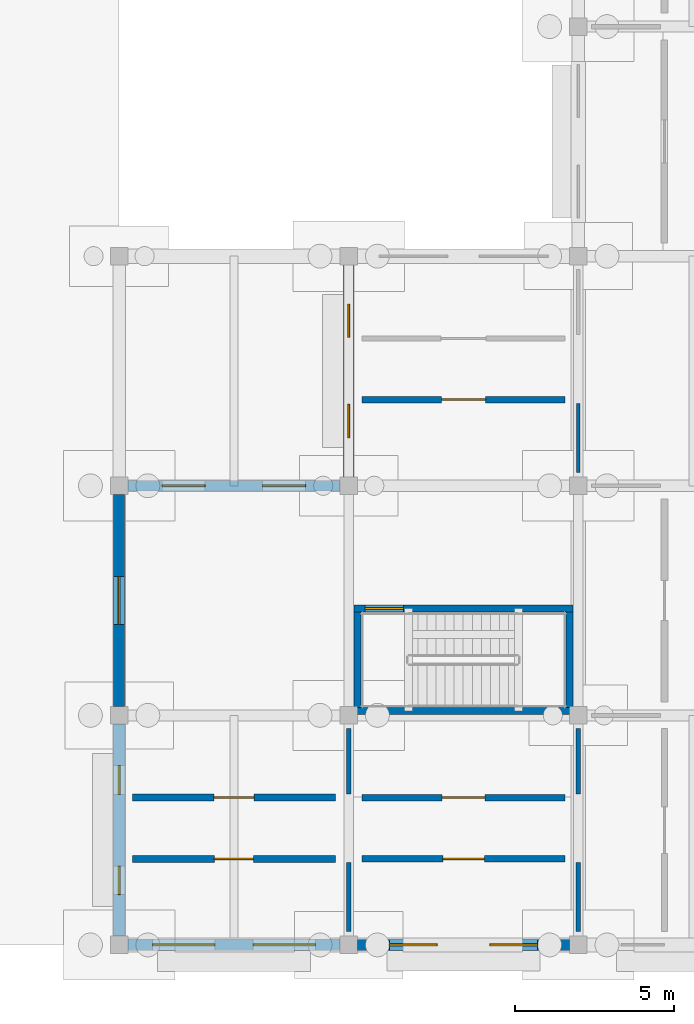
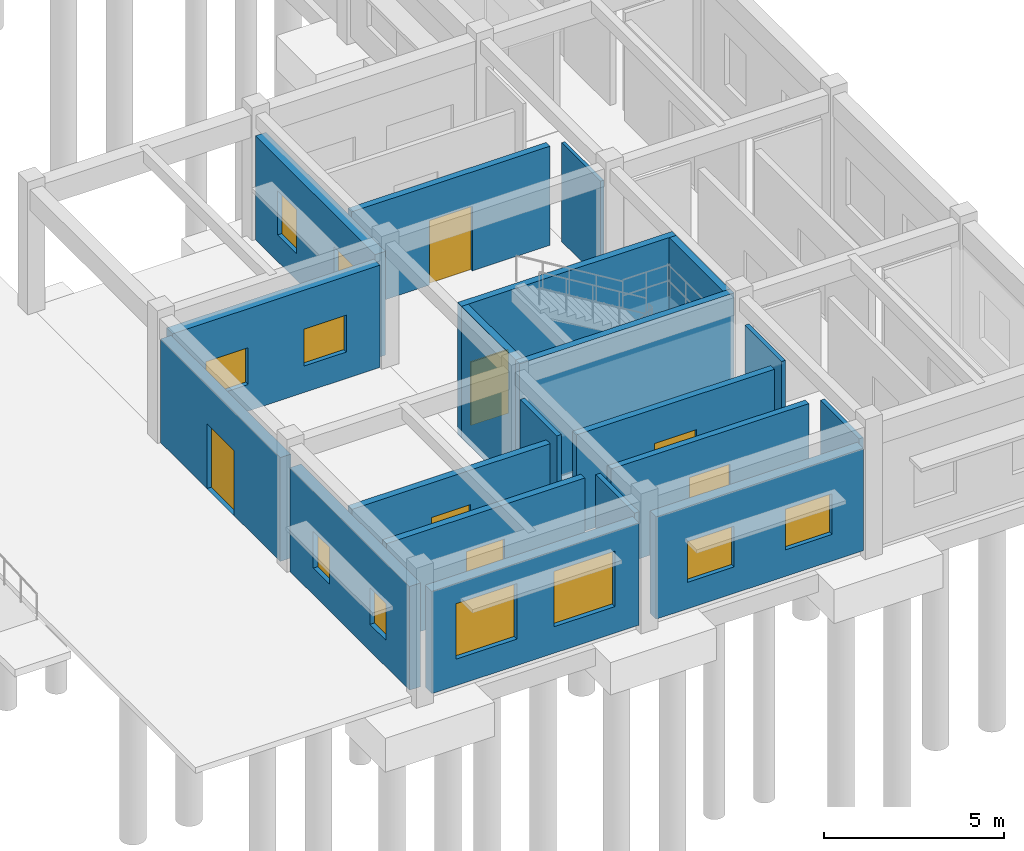
# One storey, part 76 of 111: 20 walls, 10 windows, 7 doors, 17 openings.
"""IFC4 building model written with IfcOpenShell, lengths in metres."""

from ifc_helpers import new_model, si_unit, direction, frame, frame_2d, origin, place, context, subcontext, project, spatial, rectangle, extrude, material, layer, layer_set, type_object, element, fill, save


model = new_model("IFC4")

# Units and contexts
model_context = context("Model", 3, precision=1e-05, world=origin(), true_north=direction((0.0, 1.0)))
body_context = subcontext(model_context, "Body", "Model", "MODEL_VIEW")
ifc_project = project(units=[si_unit("LENGTHUNIT", "METRE"), si_unit("AREAUNIT", "SQUARE_METRE"), si_unit("VOLUMEUNIT", "CUBIC_METRE"), si_unit("PLANEANGLEUNIT", "RADIAN"), si_unit("MASSUNIT", "GRAM", prefix="KILO")], contexts=[model_context])

# Site, building, storey
site_placement = place(None, origin())
site = spatial("IfcSite", under=ifc_project, at=site_placement, CompositionType="ELEMENT")
building_placement = place(site_placement, origin())
building = spatial("IfcBuilding", under=site, at=building_placement, Name="Aldebral Square Health Centre", CompositionType="ELEMENT")
storey_placement = place(building_placement, origin())
storey = spatial("IfcBuildingStorey", under=building, at=storey_placement, Name="L00", CompositionType="ELEMENT", Elevation=0.0)

# Wall, openings, windows
ifc_material_1 = material(Name="Cream cantera stone and concrete wall C35/45", Category="masonry")
ifc_layer_1 = layer(ifc_material_1, 0.340087890625, Name="Cream cantera stone and concrete wall C35/45", Category="masonry")
ifc_layer_set_1 = layer_set([ifc_layer_1], Name="Cream cantera stone and concrete wall C35/45")
wall_type_1 = type_object("IfcWallType", Name="EW-CAN-340", PredefinedType="SOLIDWALL", material=ifc_layer_set_1)
wall_1_placement = place(storey_placement, frame((150.925048828125, 14.39990234375, 0.0), z_axis=(0.0, 0.0, 1.0), x_axis=(-1.0, 0.0, 0.0)))
wall_1 = element("IfcWall", 1, at=wall_1_placement, inside=storey, type_object=wall_type_1, Name="L00 V3 exterior wall L00-V3-20-01-N", PredefinedType="SOLIDWALL", context=body_context, shape_type="SweptSolid", body=[
    extrude(rectangle(XDim=6.650146484375, YDim=0.340087890625, at=frame_2d((3.3251953125, 0.0))), origin(), (0.0, 0.0, 1.0), 3.469970703125),
])
opening_1_placement = place(wall_1_placement, frame((1.074951171875, 0.0, 0.89990234375)))
opening_1 = element("IfcOpeningElement", 2, at=opening_1_placement, cuts=wall_1, Name="Opening W04", PredefinedType="OPENING", context=body_context, shape_type="SweptSolid", body=[
    extrude(rectangle(XDim=1.35009765625, YDim=1.25, at=frame_2d((0.675048828125, 0.625))), frame((0.0, 0.18017578125, 0.0), z_axis=(0.0, -1.0, 0.0), x_axis=(1.0, 0.0, 0.0)), (0.0, 0.0, 1.0), 0.360107421875),
])
opening_2_placement = place(wall_1_placement, frame((4.22509765625, 0.0, 0.89990234375)))
opening_2 = element("IfcOpeningElement", 3, at=opening_2_placement, cuts=wall_1, Name="Opening W04", PredefinedType="OPENING", context=body_context, shape_type="SweptSolid", body=[
    extrude(rectangle(XDim=1.35009765625, YDim=1.25, at=frame_2d((0.675048828125, 0.625))), frame((0.0, 0.18017578125, 0.0), z_axis=(0.0, -1.0, 0.0), x_axis=(1.0, 0.0, 0.0)), (0.0, 0.0, 1.0), 0.360107421875),
])
ifc_material_2 = material(Name="Thermally broken aluminium and low-E glass", Category="aluminium")
window_type_1 = type_object("IfcWindowType", Name="WIN-W04", PartitioningType="SINGLE_PANEL", PredefinedType="WINDOW", material=ifc_material_2)
window_1_placement = place(opening_1_placement, origin())
window_1 = element("IfcWindow", 4, at=window_1_placement, inside=storey, type_object=window_type_1, Name="L00 clinical window L00-V3-20-01-N.1", OverallHeight=1.25, OverallWidth=1.35009765625, PartitioningType="SINGLE_PANEL", PredefinedType="WINDOW", context=body_context, shape_type="SweptSolid", body=[
    extrude(rectangle(XDim=1.35009765625, YDim=1.25, at=frame_2d((0.675048828125, 0.625))), frame((0.0, 0.030029296875, 0.0), z_axis=(0.0, -1.0, 0.0), x_axis=(1.0, 0.0, 0.0)), (0.0, 0.0, 1.0), 0.06005859375),
])
fill(opening_1, window_1)
window_2_placement = place(opening_2_placement, origin())
window_2 = element("IfcWindow", 5, at=window_2_placement, inside=storey, type_object=window_type_1, Name="L00 clinical window L00-V3-20-01-N.2", OverallHeight=1.25, OverallWidth=1.35009765625, PartitioningType="SINGLE_PANEL", PredefinedType="WINDOW", context=body_context, shape_type="SweptSolid", body=[
    extrude(rectangle(XDim=1.35009765625, YDim=1.25, at=frame_2d((0.675048828125, 0.625))), frame((0.0, 0.030029296875, 0.0), z_axis=(0.0, -1.0, 0.0), x_axis=(1.0, 0.0, 0.0)), (0.0, 0.0, 1.0), 0.06005859375),
])
fill(opening_2, window_2)

# Wall, opening, door
wall_2_placement = place(storey_placement, frame((144.0, 7.47509765625, 0.0), z_axis=(0.0, 0.0, 1.0), x_axis=(0.0, 1.0, 0.0)))
wall_2 = element("IfcWall", 6, at=wall_2_placement, inside=storey, type_object=wall_type_1, Name="L00 V3 exterior wall L00-V3-20-01-W", PredefinedType="SOLIDWALL", context=body_context, shape_type="SweptSolid", body=[
    extrude(rectangle(XDim=6.64990234375, YDim=0.340087890625, at=frame_2d((3.324951171875, 0.0))), origin(), (0.0, 0.0, 1.0), 3.52001953125),
])
opening_3_placement = place(wall_2_placement, frame((2.574951171875, 0.0, 0.0)))
opening_3 = element("IfcOpeningElement", 7, at=opening_3_placement, cuts=wall_2, Name="Opening D-EX08", PredefinedType="OPENING", context=body_context, shape_type="SweptSolid", body=[
    extrude(rectangle(XDim=1.5, YDim=2.199951171875, at=frame_2d((0.75, 1.10009765625))), frame((0.0, 0.18017578125, 0.0), z_axis=(0.0, -1.0, 0.0), x_axis=(1.0, 0.0, 0.0)), (0.0, 0.0, 1.0), 0.360107421875),
])
ifc_material_3 = material(Name="Anodised aluminium and laminated safety glass", Category="aluminium")
door_type_1 = type_object("IfcDoorType", Name="DR-EX-150", OperationType="DOUBLE_DOOR_SINGLE_SWING", PredefinedType="DOOR", material=ifc_material_3)
door_1_placement = place(opening_3_placement, origin())
door_1 = element("IfcDoor", 8, at=door_1_placement, inside=storey, type_object=door_type_1, Name="L00 exterior door D-EX08", OperationType="DOUBLE_DOOR_SINGLE_SWING", OverallHeight=2.199951171875, OverallWidth=1.5, PredefinedType="DOOR", context=body_context, shape_type="SweptSolid", body=[
    extrude(rectangle(XDim=1.5, YDim=2.199951171875, at=frame_2d((0.75, 1.10009765625))), frame((0.0, 0.02490234375, 0.0), z_axis=(0.0, -1.0, 0.0), x_axis=(1.0, 0.0, 0.0)), (0.0, 0.0, 1.0), 0.050048828125),
])
fill(opening_3, door_1)

# Wall, openings, windows
wall_3_placement = place(storey_placement, frame((151.47509765625, 0.0, 0.0), z_axis=(0.0, 0.0, 1.0), x_axis=(1.0, 0.0, 0.0)))
wall_3 = element("IfcWall", 9, at=wall_3_placement, inside=storey, type_object=wall_type_1, Name="L00 V3 exterior wall L00-V3-21-00-S", PredefinedType="SOLIDWALL", context=body_context, shape_type="SweptSolid", body=[
    extrude(rectangle(XDim=6.64990234375, YDim=0.340087890625, at=frame_2d((3.324951171875, 0.0))), origin(), (0.0, 0.0, 1.0), 3.469970703125),
])
opening_4_placement = place(wall_3_placement, frame((1.0, 0.0, 0.89990234375)))
opening_4 = element("IfcOpeningElement", 10, at=opening_4_placement, cuts=wall_3, Name="Opening W14", PredefinedType="OPENING", context=body_context, shape_type="SweptSolid", body=[
    extrude(rectangle(XDim=1.5, YDim=1.3798828125, at=frame_2d((0.75, 0.68994140625))), frame((0.0, 0.18017578125, 0.0), z_axis=(0.0, -1.0, 0.0), x_axis=(1.0, 0.0, 0.0)), (0.0, 0.0, 1.0), 0.360107421875),
])
opening_5_placement = place(wall_3_placement, frame((4.14990234375, 0.0, 0.89990234375)))
opening_5 = element("IfcOpeningElement", 11, at=opening_5_placement, cuts=wall_3, Name="Opening W14", PredefinedType="OPENING", context=body_context, shape_type="SweptSolid", body=[
    extrude(rectangle(XDim=1.5, YDim=1.3798828125, at=frame_2d((0.75, 0.68994140625))), frame((0.0, 0.18017578125, 0.0), z_axis=(0.0, -1.0, 0.0), x_axis=(1.0, 0.0, 0.0)), (0.0, 0.0, 1.0), 0.360107421875),
])
window_type_2 = type_object("IfcWindowType", Name="WIN-W14", PartitioningType="SINGLE_PANEL", PredefinedType="WINDOW", material=ifc_material_2)
window_3_placement = place(opening_4_placement, origin())
window_3 = element("IfcWindow", 12, at=window_3_placement, inside=storey, type_object=window_type_2, Name="L00 clinical window L00-V3-21-00-S.1", OverallHeight=1.3798828125, OverallWidth=1.5, PartitioningType="SINGLE_PANEL", PredefinedType="WINDOW", context=body_context, shape_type="SweptSolid", body=[
    extrude(rectangle(XDim=1.5, YDim=1.3798828125, at=frame_2d((0.75, 0.68994140625))), frame((0.0, 0.030029296875, 0.0), z_axis=(0.0, -1.0, 0.0), x_axis=(1.0, 0.0, 0.0)), (0.0, 0.0, 1.0), 0.06005859375),
])
fill(opening_4, window_3)
window_4_placement = place(opening_5_placement, origin())
window_4 = element("IfcWindow", 13, at=window_4_placement, inside=storey, type_object=window_type_2, Name="L00 clinical window L00-V3-21-00-S.2", OverallHeight=1.3798828125, OverallWidth=1.5, PartitioningType="SINGLE_PANEL", PredefinedType="WINDOW", context=body_context, shape_type="SweptSolid", body=[
    extrude(rectangle(XDim=1.5, YDim=1.3798828125, at=frame_2d((0.75, 0.68994140625))), frame((0.0, 0.030029296875, 0.0), z_axis=(0.0, -1.0, 0.0), x_axis=(1.0, 0.0, 0.0)), (0.0, 0.0, 1.0), 0.06005859375),
])
fill(opening_5, window_4)

wall_4_placement = place(storey_placement, frame((151.199951171875, 21.324951171875, 0.0), z_axis=(0.0, 0.0, 1.0), x_axis=(0.0, -1.0, 0.0)))
wall_4 = element("IfcWall", 14, at=wall_4_placement, inside=storey, type_object=wall_type_1, Name="L00 V3 exterior wall L00-V3-21-02-W", PredefinedType="SOLIDWALL", context=body_context, shape_type="SweptSolid", body=[
    extrude(rectangle(XDim=6.64990234375, YDim=0.340087890625, at=frame_2d((3.324951171875, 0.0))), origin(), (0.0, 0.0, 1.0), 3.52001953125),
])
opening_6_placement = place(wall_4_placement, frame((1.22509765625, 0.0, 0.89990234375)))
opening_6 = element("IfcOpeningElement", 15, at=opening_6_placement, cuts=wall_4, Name="Opening W20", PredefinedType="OPENING", context=body_context, shape_type="SweptSolid", body=[
    extrude(rectangle(XDim=1.050048828125, YDim=1.5, at=frame_2d((0.52490234375, 0.75))), frame((0.0, 0.18017578125, 0.0), z_axis=(0.0, -1.0, 0.0), x_axis=(1.0, 0.0, 0.0)), (0.0, 0.0, 1.0), 0.360107421875),
])
opening_7_placement = place(wall_4_placement, frame((4.375, 0.0, 0.89990234375)))
opening_7 = element("IfcOpeningElement", 16, at=opening_7_placement, cuts=wall_4, Name="Opening W20", PredefinedType="OPENING", context=body_context, shape_type="SweptSolid", body=[
    extrude(rectangle(XDim=1.050048828125, YDim=1.5, at=frame_2d((0.52490234375, 0.75))), frame((0.0, 0.18017578125, 0.0), z_axis=(0.0, -1.0, 0.0), x_axis=(1.0, 0.0, 0.0)), (0.0, 0.0, 1.0), 0.360107421875),
])
window_type_3 = type_object("IfcWindowType", Name="WIN-W20", PartitioningType="SINGLE_PANEL", PredefinedType="WINDOW", material=ifc_material_2)
window_5_placement = place(opening_6_placement, origin())
window_5 = element("IfcWindow", 17, at=window_5_placement, inside=storey, type_object=window_type_3, Name="L00 clinical window L00-V3-21-02-W.1", OverallHeight=1.5, OverallWidth=1.050048828125, PartitioningType="SINGLE_PANEL", PredefinedType="WINDOW", context=body_context, shape_type="SweptSolid", body=[
    extrude(rectangle(XDim=1.050048828125, YDim=1.5, at=frame_2d((0.52490234375, 0.75))), frame((0.0, 0.030029296875, 0.0), z_axis=(0.0, -1.0, 0.0), x_axis=(1.0, 0.0, 0.0)), (0.0, 0.0, 1.0), 0.06005859375),
])
fill(opening_6, window_5)
window_6_placement = place(opening_7_placement, origin())
window_6 = element("IfcWindow", 18, at=window_6_placement, inside=storey, type_object=window_type_3, Name="L00 clinical window L00-V3-21-02-W.2", OverallHeight=1.5, OverallWidth=1.050048828125, PartitioningType="SINGLE_PANEL", PredefinedType="WINDOW", context=body_context, shape_type="SweptSolid", body=[
    extrude(rectangle(XDim=1.050048828125, YDim=1.5, at=frame_2d((0.52490234375, 0.75))), frame((0.0, 0.030029296875, 0.0), z_axis=(0.0, -1.0, 0.0), x_axis=(1.0, 0.0, 0.0)), (0.0, 0.0, 1.0), 0.06005859375),
])
fill(opening_7, window_6)

ifc_layer_2 = layer(ifc_material_1, 0.360107421875, Name="Cream cantera stone and concrete wall C35/45", Category="masonry")
ifc_layer_set_2 = layer_set([ifc_layer_2], Name="Cream cantera stone and concrete wall C35/45")
wall_type_2 = type_object("IfcWallType", Name="EW-CAN-360", PredefinedType="SOLIDWALL", material=ifc_layer_set_2)
wall_5_placement = place(storey_placement, frame((144.27490234375, 0.0, 0.0), z_axis=(0.0, 0.0, 1.0), x_axis=(1.0, 0.0, 0.0)))
wall_5 = element("IfcWall", 19, at=wall_5_placement, inside=storey, type_object=wall_type_2, Name="L00 V3 exterior wall L00-V3-20-00-S", PredefinedType="SOLIDWALL", context=body_context, shape_type="SweptSolid", body=[
    extrude(rectangle(XDim=6.650146484375, YDim=0.360107421875, at=frame_2d((3.3251953125, 0.0))), origin(), (0.0, 0.0, 1.0), 3.469970703125),
])
opening_8_placement = place(wall_5_placement, frame((0.77490234375, 0.0, 0.89990234375)))
opening_8 = element("IfcOpeningElement", 20, at=opening_8_placement, cuts=wall_5, Name="Opening W53", PredefinedType="OPENING", context=body_context, shape_type="SweptSolid", body=[
    extrude(rectangle(XDim=1.949951171875, YDim=1.8798828125, at=frame_2d((0.97509765625, 0.93994140625))), frame((0.0, 0.18994140625, 0.0), z_axis=(0.0, -1.0, 0.0), x_axis=(1.0, 0.0, 0.0)), (0.0, 0.0, 1.0), 0.380126953125),
])
opening_9_placement = place(wall_5_placement, frame((3.925048828125, 0.0, 0.89990234375)))
opening_9 = element("IfcOpeningElement", 21, at=opening_9_placement, cuts=wall_5, Name="Opening W53", PredefinedType="OPENING", context=body_context, shape_type="SweptSolid", body=[
    extrude(rectangle(XDim=1.949951171875, YDim=1.8798828125, at=frame_2d((0.97509765625, 0.93994140625))), frame((0.0, 0.18994140625, 0.0), z_axis=(0.0, -1.0, 0.0), x_axis=(1.0, 0.0, 0.0)), (0.0, 0.0, 1.0), 0.380126953125),
])
window_type_4 = type_object("IfcWindowType", Name="WIN-W53", PartitioningType="SINGLE_PANEL", PredefinedType="WINDOW", material=ifc_material_2)
window_7_placement = place(opening_8_placement, origin())
window_7 = element("IfcWindow", 22, at=window_7_placement, inside=storey, type_object=window_type_4, Name="L00 clinical window L00-V3-20-00-S.1", OverallHeight=1.8798828125, OverallWidth=1.949951171875, PartitioningType="SINGLE_PANEL", PredefinedType="WINDOW", context=body_context, shape_type="SweptSolid", body=[
    extrude(rectangle(XDim=1.949951171875, YDim=1.8798828125, at=frame_2d((0.97509765625, 0.93994140625))), frame((0.0, 0.030029296875, 0.0), z_axis=(0.0, -1.0, 0.0), x_axis=(1.0, 0.0, 0.0)), (0.0, 0.0, 1.0), 0.06005859375),
])
fill(opening_8, window_7)
window_8_placement = place(opening_9_placement, origin())
window_8 = element("IfcWindow", 23, at=window_8_placement, inside=storey, type_object=window_type_4, Name="L00 clinical window L00-V3-20-00-S.2", OverallHeight=1.8798828125, OverallWidth=1.949951171875, PartitioningType="SINGLE_PANEL", PredefinedType="WINDOW", context=body_context, shape_type="SweptSolid", body=[
    extrude(rectangle(XDim=1.949951171875, YDim=1.8798828125, at=frame_2d((0.97509765625, 0.93994140625))), frame((0.0, 0.030029296875, 0.0), z_axis=(0.0, -1.0, 0.0), x_axis=(1.0, 0.0, 0.0)), (0.0, 0.0, 1.0), 0.06005859375),
])
fill(opening_9, window_8)

wall_6_placement = place(storey_placement, frame((144.0, 6.925048828125, 0.0), z_axis=(0.0, 0.0, 1.0), x_axis=(0.0, -1.0, 0.0)))
wall_6 = element("IfcWall", 24, at=wall_6_placement, inside=storey, type_object=wall_type_2, Name="L00 V3 exterior wall L00-V3-20-00-W", PredefinedType="SOLIDWALL", context=body_context, shape_type="SweptSolid", body=[
    extrude(rectangle(XDim=6.650146484375, YDim=0.360107421875, at=frame_2d((3.3251953125, 0.0))), origin(), (0.0, 0.0, 1.0), 3.52001953125),
])
opening_10_placement = place(wall_6_placement, frame((1.300048828125, 0.0, 0.89990234375)))
opening_10 = element("IfcOpeningElement", 25, at=opening_10_placement, cuts=wall_6, Name="Opening W01", PredefinedType="OPENING", context=body_context, shape_type="SweptSolid", body=[
    extrude(rectangle(XDim=0.89990234375, YDim=1.25, at=frame_2d((0.449951171875, 0.625))), frame((0.0, 0.18994140625, 0.0), z_axis=(0.0, -1.0, 0.0), x_axis=(1.0, 0.0, 0.0)), (0.0, 0.0, 1.0), 0.380126953125),
])
opening_11_placement = place(wall_6_placement, frame((4.449951171875, 0.0, 0.89990234375)))
opening_11 = element("IfcOpeningElement", 26, at=opening_11_placement, cuts=wall_6, Name="Opening W01", PredefinedType="OPENING", context=body_context, shape_type="SweptSolid", body=[
    extrude(rectangle(XDim=0.89990234375, YDim=1.25, at=frame_2d((0.449951171875, 0.625))), frame((0.0, 0.18994140625, 0.0), z_axis=(0.0, -1.0, 0.0), x_axis=(1.0, 0.0, 0.0)), (0.0, 0.0, 1.0), 0.380126953125),
])
window_type_5 = type_object("IfcWindowType", Name="WIN-W01", PartitioningType="SINGLE_PANEL", PredefinedType="WINDOW", material=ifc_material_2)
window_9_placement = place(opening_10_placement, origin())
window_9 = element("IfcWindow", 27, at=window_9_placement, inside=storey, type_object=window_type_5, Name="L00 clinical window L00-V3-20-00-W.1", OverallHeight=1.25, OverallWidth=0.89990234375, PartitioningType="SINGLE_PANEL", PredefinedType="WINDOW", context=body_context, shape_type="SweptSolid", body=[
    extrude(rectangle(XDim=0.89990234375, YDim=1.25, at=frame_2d((0.449951171875, 0.625))), frame((0.0, 0.030029296875, 0.0), z_axis=(0.0, -1.0, 0.0), x_axis=(1.0, 0.0, 0.0)), (0.0, 0.0, 1.0), 0.06005859375),
])
fill(opening_10, window_9)
window_10_placement = place(opening_11_placement, origin())
window_10 = element("IfcWindow", 28, at=window_10_placement, inside=storey, type_object=window_type_5, Name="L00 clinical window L00-V3-20-00-W.2", OverallHeight=1.25, OverallWidth=0.89990234375, PartitioningType="SINGLE_PANEL", PredefinedType="WINDOW", context=body_context, shape_type="SweptSolid", body=[
    extrude(rectangle(XDim=0.89990234375, YDim=1.25, at=frame_2d((0.449951171875, 0.625))), frame((0.0, 0.030029296875, 0.0), z_axis=(0.0, -1.0, 0.0), x_axis=(1.0, 0.0, 0.0)), (0.0, 0.0, 1.0), 0.06005859375),
])
fill(opening_11, window_10)

# Wall, opening, door
ifc_material_4 = material(Name="Concrete C35/45 compartment wall", Category="concrete")
ifc_layer_3 = layer(ifc_material_4, 0.199951171875, Name="Concrete C35/45 compartment wall", Category="concrete")
ifc_layer_set_3 = layer_set([ifc_layer_3], Name="Concrete C35/45 compartment wall")
wall_type_3 = type_object("IfcWallType", Name="IW-CMP-200", PredefinedType="SOLIDWALL", material=ifc_layer_set_3)
wall_7_placement = place(storey_placement, frame((151.6201171875, 2.699951171875, 0.0), z_axis=(0.0, 0.0, 1.0), x_axis=(1.0, 0.0, 0.0)))
wall_7 = element("IfcWall", 29, at=wall_7_placement, inside=storey, type_object=wall_type_3, Name="L00 Gait Assessment Studio 22.1S corridor wall", PredefinedType="SOLIDWALL", context=body_context, shape_type="SweptSolid", body=[
    extrude(rectangle(XDim=6.35986328125, YDim=0.199951171875, at=frame_2d((3.179931640625, 0.0))), origin(), (0.0, 0.0, 1.0), 3.360107421875),
])
opening_12_placement = place(wall_7_placement, frame((2.530029296875, 0.0, 0.0)))
opening_12 = element("IfcOpeningElement", 30, at=opening_12_placement, cuts=wall_7, Name="Opening D-FD60-63", PredefinedType="OPENING", context=body_context, shape_type="SweptSolid", body=[
    extrude(rectangle(XDim=1.300048828125, YDim=2.18994140625, at=frame_2d((0.64990234375, 1.094970703125))), frame((0.0, 0.10986328125, 0.0), z_axis=(0.0, -1.0, 0.0), x_axis=(1.0, 0.0, 0.0)), (0.0, 0.0, 1.0), 0.219970703125),
])
ifc_material_5 = material(Name="Clinical suite fire door")
door_type_2 = type_object("IfcDoorType", Name="ID-EXD-58", OperationType="NOTDEFINED", PredefinedType="DOOR", material=ifc_material_5)
door_2_placement = place(opening_12_placement, origin())
door_2 = element("IfcDoor", 31, at=door_2_placement, inside=storey, type_object=door_type_2, Name="L00 Gait Assessment Studio 22.1S door", OperationType="SINGLE_SWING_RIGHT", OverallHeight=2.18994140625, OverallWidth=1.300048828125, PredefinedType="DOOR", context=body_context, shape_type="SweptSolid", body=[
    extrude(rectangle(XDim=1.300048828125, YDim=2.18994140625, at=frame_2d((0.64990234375, 1.094970703125))), frame((0.0, 0.02490234375, 0.0), z_axis=(0.0, -1.0, 0.0), x_axis=(1.0, 0.0, 0.0)), (0.0, 0.0, 1.0), 0.050048828125),
])
fill(opening_12, door_2)

ifc_layer_4 = layer(ifc_material_4, 0.219970703125, Name="Concrete C35/45 compartment wall", Category="concrete")
ifc_layer_set_4 = layer_set([ifc_layer_4], Name="Concrete C35/45 compartment wall")
wall_type_4 = type_object("IfcWallType", Name="IW-CMP-220", PredefinedType="SOLIDWALL", material=ifc_layer_set_4)
wall_8_placement = place(storey_placement, frame((144.419921875, 2.699951171875, 0.0), z_axis=(0.0, 0.0, 1.0), x_axis=(1.0, 0.0, 0.0)))
wall_8 = element("IfcWall", 32, at=wall_8_placement, inside=storey, type_object=wall_type_4, Name="L00 Rehabilitation Gym 21.1S corridor wall", PredefinedType="SOLIDWALL", context=body_context, shape_type="SweptSolid", body=[
    extrude(rectangle(XDim=6.360107421875, YDim=0.219970703125, at=frame_2d((3.18017578125, 0.0))), origin(), (0.0, 0.0, 1.0), 3.360107421875),
])
opening_13_placement = place(wall_8_placement, frame((2.570068359375, 0.0, 0.0)))
opening_13 = element("IfcOpeningElement", 33, at=opening_13_placement, cuts=wall_8, Name="Opening D-FD60-61", PredefinedType="OPENING", context=body_context, shape_type="SweptSolid", body=[
    extrude(rectangle(XDim=1.219970703125, YDim=2.18994140625, at=frame_2d((0.60986328125, 1.094970703125))), frame((0.0, 0.1201171875, 0.0), z_axis=(0.0, -1.0, 0.0), x_axis=(1.0, 0.0, 0.0)), (0.0, 0.0, 1.0), 0.239990234375),
])
door_type_3 = type_object("IfcDoorType", Name="ID-EXD-56", OperationType="NOTDEFINED", PredefinedType="DOOR", material=ifc_material_5)
door_3_placement = place(opening_13_placement, origin())
door_3 = element("IfcDoor", 34, at=door_3_placement, inside=storey, type_object=door_type_3, Name="L00 Rehabilitation Gym 21.1S door", OperationType="SINGLE_SWING_RIGHT", OverallHeight=2.18994140625, OverallWidth=1.219970703125, PredefinedType="DOOR", context=body_context, shape_type="SweptSolid", body=[
    extrude(rectangle(XDim=1.219970703125, YDim=2.18994140625, at=frame_2d((0.60986328125, 1.094970703125))), frame((0.0, 0.02490234375, 0.0), z_axis=(0.0, -1.0, 0.0), x_axis=(1.0, 0.0, 0.0)), (0.0, 0.0, 1.0), 0.050048828125),
])
fill(opening_13, door_3)

wall_9_placement = place(storey_placement, frame((144.419921875, 4.6201171875, 0.0), z_axis=(0.0, 0.0, 1.0), x_axis=(1.0, 0.0, 0.0)))
wall_9 = element("IfcWall", 35, at=wall_9_placement, inside=storey, type_object=wall_type_4, Name="L00 Physiotherapy Cubicles 21.1N corridor wall", PredefinedType="SOLIDWALL", context=body_context, shape_type="SweptSolid", body=[
    extrude(rectangle(XDim=6.360107421875, YDim=0.219970703125, at=frame_2d((3.18017578125, 0.0))), origin(), (0.0, 0.0, 1.0), 3.360107421875),
])
opening_14_placement = place(wall_9_placement, frame((2.550048828125, 0.0, 0.0)))
opening_14 = element("IfcOpeningElement", 36, at=opening_14_placement, cuts=wall_9, Name="Opening D-FD60-62", PredefinedType="OPENING", context=body_context, shape_type="SweptSolid", body=[
    extrude(rectangle(XDim=1.260009765625, YDim=2.18994140625, at=frame_2d((0.6298828125, 1.094970703125))), frame((0.0, 0.1201171875, 0.0), z_axis=(0.0, -1.0, 0.0), x_axis=(1.0, 0.0, 0.0)), (0.0, 0.0, 1.0), 0.239990234375),
])
door_type_4 = type_object("IfcDoorType", Name="ID-EXD-57", OperationType="NOTDEFINED", PredefinedType="DOOR", material=ifc_material_5)
door_4_placement = place(opening_14_placement, origin())
door_4 = element("IfcDoor", 37, at=door_4_placement, inside=storey, type_object=door_type_4, Name="L00 Physiotherapy Cubicles 21.1N door", OperationType="SINGLE_SWING_LEFT", OverallHeight=2.18994140625, OverallWidth=1.260009765625, PredefinedType="DOOR", context=body_context, shape_type="SweptSolid", body=[
    extrude(rectangle(XDim=1.260009765625, YDim=2.18994140625, at=frame_2d((0.6298828125, 1.094970703125))), frame((0.0, 0.02490234375, 0.0), z_axis=(0.0, -1.0, 0.0), x_axis=(1.0, 0.0, 0.0)), (0.0, 0.0, 1.0), 0.050048828125),
])
fill(opening_14, door_4)

# Wall
ifc_material_6 = material(Name="Concrete C40/50", Category="concrete")
ifc_layer_5 = layer(ifc_material_6, 0.219970703125, Name="Concrete C40/50", Category="concrete")
ifc_layer_set_5 = layer_set([ifc_layer_5], Name="Concrete C40/50")
wall_type_5 = type_object("IfcWallType", Name="IW-CORE-280", PredefinedType="SHEAR", material=ifc_layer_set_5)
wall_10_placement = place(storey_placement, frame((151.360107421875, 7.330078125, -0.25), z_axis=(0.0, 0.0, 1.0), x_axis=(1.0, 0.0, 0.0)))
element("IfcWall", 38, at=wall_10_placement, inside=storey, type_object=wall_type_5, Name="L00 WS-S8 shaft wall S", PredefinedType="SHEAR", context=body_context, shape_type="SweptSolid", body=[
    extrude(rectangle(XDim=6.8798828125, YDim=0.219970703125, at=frame_2d((3.43994140625, 0.0))), origin(), (0.0, 0.0, 1.0), 4.469970703125),
])

# Wall, opening, door
wall_11_placement = place(storey_placement, frame((151.360107421875, 10.550048828125, -0.25), z_axis=(0.0, 0.0, 1.0), x_axis=(1.0, 0.0, 0.0)))
wall_11 = element("IfcWall", 39, at=wall_11_placement, inside=storey, type_object=wall_type_5, Name="L00 WS-S8 shaft wall N", PredefinedType="SHEAR", context=body_context, shape_type="SweptSolid", body=[
    extrude(rectangle(XDim=6.8798828125, YDim=0.219970703125, at=frame_2d((3.43994140625, 0.0))), origin(), (0.0, 0.0, 1.0), 4.469970703125),
])
opening_15_placement = place(wall_11_placement, frame((0.35009765625, 0.0, 0.25)))
opening_15 = element("IfcOpeningElement", 40, at=opening_15_placement, cuts=wall_11, Name="Opening D-0070", PredefinedType="OPENING", context=body_context, shape_type="SweptSolid", body=[
    extrude(rectangle(XDim=1.199951171875, YDim=2.14990234375, at=frame_2d((0.60009765625, 1.074951171875))), frame((0.0, 0.1201171875, 0.0), z_axis=(0.0, -1.0, 0.0), x_axis=(1.0, 0.0, 0.0)), (0.0, 0.0, 1.0), 0.239990234375),
])
ifc_material_7 = material(Name="Fire-rated steel stair door", Category="steel")
door_type_5 = type_object("IfcDoorType", Name="ID-ST-120", OperationType="NOTDEFINED", PredefinedType="DOOR", material=ifc_material_7)
door_5_placement = place(opening_15_placement, origin())
door_5 = element("IfcDoor", 41, at=door_5_placement, inside=storey, type_object=door_type_5, Name="L00 ST-08 fire door", OperationType="SINGLE_SWING_RIGHT", OverallHeight=2.14990234375, OverallWidth=1.199951171875, PredefinedType="DOOR", context=body_context, shape_type="SweptSolid", body=[
    extrude(rectangle(XDim=1.199951171875, YDim=2.14990234375, at=frame_2d((0.60009765625, 1.074951171875))), frame((0.0, 0.02490234375, 0.0), z_axis=(0.0, -1.0, 0.0), x_axis=(1.0, 0.0, 0.0)), (0.0, 0.0, 1.0), 0.050048828125),
])
fill(opening_15, door_5)

# Walls
for number, where, z_axis, x_axis, name in (
    (42, (151.469970703125, 7.43994140625, -0.25), (0.0, 0.0, 1.0), (0.0, 1.0, 0.0), "L00 WS-S8 shaft wall W"),
    (43, (158.1298828125, 7.43994140625, -0.25), (0.0, 0.0, 1.0), (0.0, 1.0, 0.0), "L00 WS-S8 shaft wall E"),
):
    element("IfcWall", number, at=place(storey_placement, frame(where, z_axis=z_axis, x_axis=x_axis)), inside=storey, type_object=wall_type_5, Name=name, PredefinedType="SHEAR", context=body_context, shape_type="SweptSolid", body=[
        extrude(rectangle(XDim=3.0, YDim=0.219970703125, at=frame_2d((1.5, 0.0))), origin(), (0.0, 0.0, 1.0), 4.469970703125),
    ])

# Wall, opening, door
ifc_material_8 = material(Name="Moisture-resistant sanitary chase wall")
ifc_layer_6 = layer(ifc_material_8, 0.2099609375, Name="Moisture-resistant sanitary chase wall")
ifc_layer_set_6 = layer_set([ifc_layer_6], Name="Moisture-resistant sanitary chase wall")
wall_type_6 = type_object("IfcWallType", Name="IW-PLB-210", PredefinedType="PLUMBINGWALL", material=ifc_layer_set_6)
wall_12_placement = place(storey_placement, frame((151.6201171875, 4.6201171875, 0.0), z_axis=(0.0, 0.0, 1.0), x_axis=(1.0, 0.0, 0.0)))
wall_12 = element("IfcWall", 44, at=wall_12_placement, inside=storey, type_object=wall_type_6, Name="L00 Accessible WC 22.1N corridor wall", PredefinedType="PLUMBINGWALL", context=body_context, shape_type="SweptSolid", body=[
    extrude(rectangle(XDim=6.35986328125, YDim=0.2099609375, at=frame_2d((3.179931640625, 0.0))), origin(), (0.0, 0.0, 1.0), 3.360107421875),
])
opening_16_placement = place(wall_12_placement, frame((2.510009765625, 0.0, 0.0)))
opening_16 = element("IfcOpeningElement", 45, at=opening_16_placement, cuts=wall_12, Name="Opening D-FD60-64", PredefinedType="OPENING", context=body_context, shape_type="SweptSolid", body=[
    extrude(rectangle(XDim=1.340087890625, YDim=2.18994140625, at=frame_2d((0.669921875, 1.094970703125))), frame((0.0, 0.114990234375, 0.0), z_axis=(0.0, -1.0, 0.0), x_axis=(1.0, 0.0, 0.0)), (0.0, 0.0, 1.0), 0.22998046875),
])
door_type_6 = type_object("IfcDoorType", Name="ID-EXD-59", OperationType="NOTDEFINED", PredefinedType="DOOR", material=ifc_material_5)
door_6_placement = place(opening_16_placement, origin())
door_6 = element("IfcDoor", 46, at=door_6_placement, inside=storey, type_object=door_type_6, Name="L00 Accessible WC 22.1N door", OperationType="SINGLE_SWING_LEFT", OverallHeight=2.18994140625, OverallWidth=1.340087890625, PredefinedType="DOOR", context=body_context, shape_type="SweptSolid", body=[
    extrude(rectangle(XDim=1.340087890625, YDim=2.18994140625, at=frame_2d((0.669921875, 1.094970703125))), frame((0.0, 0.02490234375, 0.0), z_axis=(0.0, -1.0, 0.0), x_axis=(1.0, 0.0, 0.0)), (0.0, 0.0, 1.0), 0.050048828125),
])
fill(opening_16, door_6)

wall_13_placement = place(storey_placement, frame((151.6201171875, 17.10009765625, 0.0), z_axis=(0.0, 0.0, 1.0), x_axis=(1.0, 0.0, 0.0)))
wall_13 = element("IfcWall", 47, at=wall_13_placement, inside=storey, type_object=wall_type_6, Name="L00 Staff Toilet 22.3S corridor wall", PredefinedType="PLUMBINGWALL", context=body_context, shape_type="SweptSolid", body=[
    extrude(rectangle(XDim=6.35986328125, YDim=0.2099609375, at=frame_2d((3.179931640625, 0.0))), origin(), (0.0, 0.0, 1.0), 3.360107421875),
])
opening_17_placement = place(wall_13_placement, frame((2.489990234375, 0.0, 0.0)))
opening_17 = element("IfcOpeningElement", 48, at=opening_17_placement, cuts=wall_13, Name="Opening D-FD60-65", PredefinedType="OPENING", context=body_context, shape_type="SweptSolid", body=[
    extrude(rectangle(XDim=1.3798828125, YDim=2.18994140625, at=frame_2d((0.68994140625, 1.094970703125))), frame((0.0, 0.114990234375, 0.0), z_axis=(0.0, -1.0, 0.0), x_axis=(1.0, 0.0, 0.0)), (0.0, 0.0, 1.0), 0.22998046875),
])
door_type_7 = type_object("IfcDoorType", Name="ID-EXD-60", OperationType="NOTDEFINED", PredefinedType="DOOR", material=ifc_material_5)
door_7_placement = place(opening_17_placement, origin())
door_7 = element("IfcDoor", 49, at=door_7_placement, inside=storey, type_object=door_type_7, Name="L00 Staff Toilet 22.3S door", OperationType="SINGLE_SWING_RIGHT", OverallHeight=2.18994140625, OverallWidth=1.3798828125, PredefinedType="DOOR", context=body_context, shape_type="SweptSolid", body=[
    extrude(rectangle(XDim=1.3798828125, YDim=2.18994140625, at=frame_2d((0.68994140625, 1.094970703125))), frame((0.0, 0.02490234375, 0.0), z_axis=(0.0, -1.0, 0.0), x_axis=(1.0, 0.0, 0.0)), (0.0, 0.0, 1.0), 0.050048828125),
])
fill(opening_17, door_7)

# Walls
ifc_material_9 = material(Name="Lightweight clinical partition")
ifc_layer_7 = layer(ifc_material_9, 0.10498046875, Name="Lightweight clinical partition")
ifc_layer_set_7 = layer_set([ifc_layer_7], Name="Lightweight clinical partition")
wall_type_7 = type_object("IfcWallType", Name="IW-PRT-105", PredefinedType="PARTITIONING", material=ifc_layer_set_7)
wall_14_placement = place(storey_placement, frame((158.39990234375, 14.820068359375, 0.0), z_axis=(0.0, 0.0, 1.0), x_axis=(0.0, 1.0, 0.0)))
element("IfcWall", 50, at=wall_14_placement, inside=storey, type_object=wall_type_7, Name="L00 Staff Toilet 22.3S demising partition", PredefinedType="PARTITIONING", context=body_context, shape_type="SweptSolid", body=[
    extrude(rectangle(XDim=2.159912109375, YDim=0.10498046875, at=frame_2d((1.080078125, 0.0))), origin(), (0.0, 0.0, 1.0), 3.360107421875),
])
ifc_material_10 = material(Name="Acoustic clinical gypsum partition")
ifc_layer_8 = layer(ifc_material_10, 0.135009765625, Name="Acoustic clinical gypsum partition")
ifc_layer_set_8 = layer_set([ifc_layer_8], Name="Acoustic clinical gypsum partition")
wall_type_8 = type_object("IfcWallType", Name="IW-PRT-135", PredefinedType="PARTITIONING", material=ifc_layer_set_8)
wall_15_placement = place(storey_placement, frame((158.39990234375, 0.419921875, 0.0), z_axis=(0.0, 0.0, 1.0), x_axis=(0.0, 1.0, 0.0)))
element("IfcWall", 51, at=wall_15_placement, inside=storey, type_object=wall_type_8, Name="L00 Gait Assessment Studio 22.1S demising partition", PredefinedType="PARTITIONING", context=body_context, shape_type="SweptSolid", body=[
    extrude(rectangle(XDim=2.16015625, YDim=0.135009765625, at=frame_2d((1.080078125, 0.0))), origin(), (0.0, 0.0, 1.0), 3.360107421875),
])
wall_16_placement = place(storey_placement, frame((158.39990234375, 4.739990234375, 0.0), z_axis=(0.0, 0.0, 1.0), x_axis=(0.0, 1.0, 0.0)))
element("IfcWall", 52, at=wall_16_placement, inside=storey, type_object=wall_type_8, Name="L00 Accessible WC 22.1N demising partition", PredefinedType="PARTITIONING", context=body_context, shape_type="SweptSolid", body=[
    extrude(rectangle(XDim=2.0400390625, YDim=0.135009765625, at=frame_2d((1.02001953125, 0.0))), origin(), (0.0, 0.0, 1.0), 3.360107421875),
])
ifc_layer_9 = layer(ifc_material_10, 0.14990234375, Name="Acoustic clinical gypsum partition")
ifc_layer_set_9 = layer_set([ifc_layer_9], Name="Acoustic clinical gypsum partition")
wall_type_9 = type_object("IfcWallType", Name="IW-PRT-150", PredefinedType="PARTITIONING", material=ifc_layer_set_9)
wall_17_placement = place(storey_placement, frame((151.199951171875, 0.419921875, 0.0), z_axis=(0.0, 0.0, 1.0), x_axis=(0.0, 1.0, 0.0)))
element("IfcWall", 53, at=wall_17_placement, inside=storey, type_object=wall_type_9, Name="L00 Rehabilitation Gym 21.1S demising partition", PredefinedType="PARTITIONING", context=body_context, shape_type="SweptSolid", body=[
    extrude(rectangle(XDim=2.16015625, YDim=0.14990234375, at=frame_2d((1.080078125, 0.0))), origin(), (0.0, 0.0, 1.0), 3.360107421875),
])
wall_18_placement = place(storey_placement, frame((151.199951171875, 4.739990234375, 0.0), z_axis=(0.0, 0.0, 1.0), x_axis=(0.0, 1.0, 0.0)))
element("IfcWall", 54, at=wall_18_placement, inside=storey, type_object=wall_type_9, Name="L00 Physiotherapy Cubicles 21.1N demising partition", PredefinedType="PARTITIONING", context=body_context, shape_type="SweptSolid", body=[
    extrude(rectangle(XDim=2.0400390625, YDim=0.14990234375, at=frame_2d((1.02001953125, 0.0))), origin(), (0.0, 0.0, 1.0), 3.360107421875),
])

save(model, "model.ifc")
